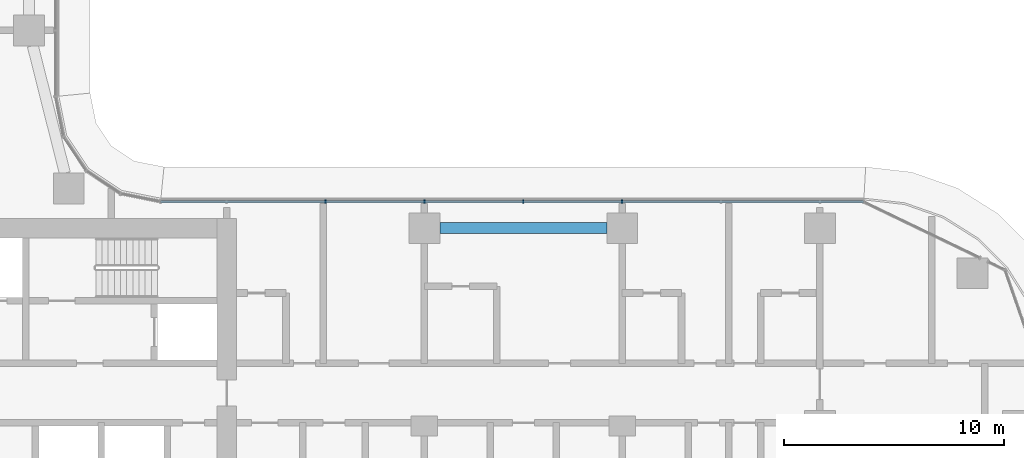
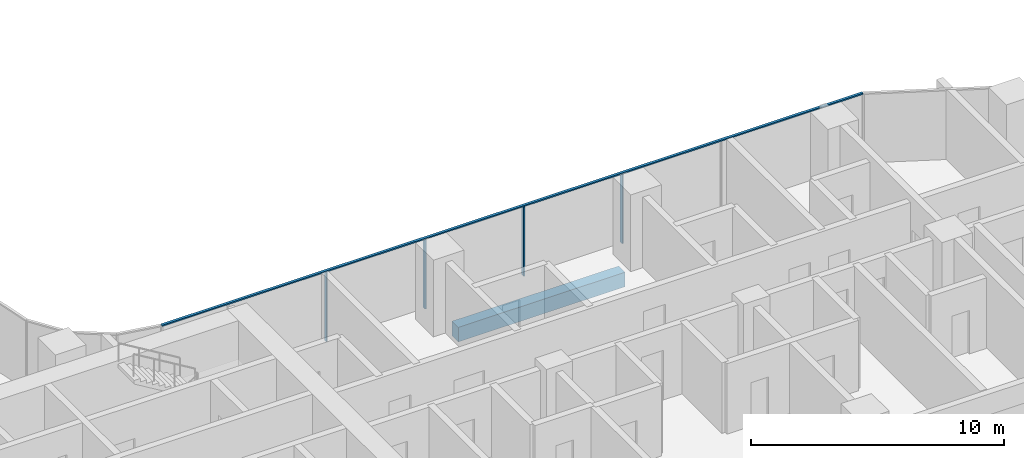
# One storey, part 4 of 39: 5 members, 1 beam, 1 element without a shape of its own.
"""IFC4 building model written with IfcOpenShell, lengths in metres."""

import ifcopenshell
import ifcopenshell.guid

model = None  # the IFC model being written
_history = None  # IfcOwnerHistory: only IFC2X3 demands one
_inside = {}  # id of a spatial element -> (the spatial element, [elements in it])
_under = {}  # id of a project, library or spatial element -> (it, [spatial elements below it])
_declared = {}  # id of a project -> (the project, [libraries it declares])
_typed = {}  # id of a type object -> (the type object, [elements of that type])
_made_of = {}  # id of a material, layer set ... -> (it, [elements and type objects made of it])


def new_model(schema):
    """Start an empty IFC model of exactly this schema.

    Asked for "IFC4X3", IfcOpenShell would pick the latest addendum, in which some entities
    have other attributes; the version numbers below select the first issue.
    IFC2X3 requires an IfcOwnerHistory on every rooted entity: one is made here for all.
    """
    global model, _history
    if schema == "IFC4X3":
        model = ifcopenshell.file(schema_version=(4, 3, 0, 0))
    else:
        model = ifcopenshell.file(schema=schema)
    _inside.clear()
    _under.clear()
    _declared.clear()
    _typed.clear()
    _made_of.clear()
    _history = None
    if model.schema == "IFC2X3":
        org = make("IfcOrganization", Name="unknown")
        user = make(
            "IfcPersonAndOrganization",
            ThePerson=make("IfcPerson", FamilyName="unknown"),
            TheOrganization=org,
        )
        app = make(
            "IfcApplication",
            ApplicationDeveloper=org,
            Version="unknown",
            ApplicationFullName="unknown",
            ApplicationIdentifier="unknown",
        )
        _history = make(
            "IfcOwnerHistory",
            OwningUser=user,
            OwningApplication=app,
            ChangeAction="ADDED",
            CreationDate=0,
        )
    return model


def make(cls, **values):
    """One entity of the class cls with the attributes given. An attribute that is None is left unset."""
    return model.create_entity(
        cls, **{name: value for name, value in values.items() if value is not None}
    )


def rooted(cls, **values):
    """An entity with a GlobalId (a new one), such as an element, a storey or a relation."""
    return make(cls, GlobalId=ifcopenshell.guid.new(), OwnerHistory=_history, **values)


def si_unit(unit_type, name, prefix=None):
    """IfcSIUnit, for example si_unit("LENGTHUNIT", "METRE", prefix="MILLI")."""
    return make("IfcSIUnit", UnitType=unit_type, Prefix=prefix, Name=name)


def assignment(units):
    """IfcUnitAssignment: the units of a project."""
    return None if units is None else make("IfcUnitAssignment", Units=units)


def point(xyz):
    """IfcCartesianPoint."""
    return None if xyz is None else make("IfcCartesianPoint", Coordinates=xyz)


def direction(xyz):
    """IfcDirection."""
    return None if xyz is None else make("IfcDirection", DirectionRatios=xyz)


def frame(location, z_axis=None, x_axis=None):
    """IfcAxis2Placement3D, a coordinate frame: its origin and axes. An axis left out is left unset."""
    return make(
        "IfcAxis2Placement3D",
        Location=point(location),
        Axis=direction(z_axis),
        RefDirection=direction(x_axis),
    )


def frame_2d(location, x_axis=None):
    """IfcAxis2Placement2D, a coordinate frame in the plane: its origin and x axis."""
    return make(
        "IfcAxis2Placement2D", Location=point(location), RefDirection=direction(x_axis)
    )


def origin():
    """The frame at (0, 0, 0) with its axes left unset."""
    return frame((0.0, 0.0, 0.0))


def origin_2d():
    """The frame at (0, 0) in the plane with its x axis left unset."""
    return frame_2d((0.0, 0.0))


def place(relative_to, where):
    """IfcLocalPlacement: puts the frame where relative to a parent placement (None: the world)."""
    return make(
        "IfcLocalPlacement", PlacementRelTo=relative_to, RelativePlacement=where
    )


def context(
    kind, dimensions, precision=None, world=None, true_north=None, identifier=None
):
    """IfcGeometricRepresentationContext, for example the 3D "Model" context."""
    return make(
        "IfcGeometricRepresentationContext",
        ContextIdentifier=identifier,
        ContextType=kind,
        CoordinateSpaceDimension=dimensions,
        Precision=precision,
        WorldCoordinateSystem=world,
        TrueNorth=true_north,
    )


def subcontext(parent, identifier, kind, view, scale=None):
    """IfcGeometricRepresentationSubContext, for example "Body" below "Model"."""
    return make(
        "IfcGeometricRepresentationSubContext",
        ContextIdentifier=identifier,
        ContextType=kind,
        ParentContext=parent,
        TargetScale=scale,
        TargetView=view,
    )


def project(units=None, contexts=None):
    """IfcProject with its units and contexts."""
    return rooted(
        "IfcProject",
        Name="project",
        RepresentationContexts=contexts,
        UnitsInContext=assignment(units),
    )


def spatial(cls, under=None, at=None, **own):
    """A site, building, storey or space (cls), placed at a placement, below another one or the project."""
    s = rooted(cls, ObjectPlacement=at, **own)
    if under is not None:
        _under.setdefault(under.id(), (under, []))[1].append(s)
    return s


def profile(cls, at=None, kind="AREA", **sizes):
    """A parametric profile (cls). Its sizes go by their IFC names, for example OverallWidth=200.0."""
    return make(cls, ProfileType=kind, Position=at, **sizes)


def rectangle(**sizes):
    """IfcRectangleProfileDef."""
    return profile("IfcRectangleProfileDef", **sizes)


def extrude(swept, where, along, depth):
    """IfcExtrudedAreaSolid: the profile swept, set in the frame where, extruded along a direction by depth."""
    return make(
        "IfcExtrudedAreaSolid",
        SweptArea=swept,
        Position=where,
        ExtrudedDirection=direction(along),
        Depth=depth,
    )


def shape(context_of_items, identifier, shape_type, items):
    """IfcShapeRepresentation: the items that make up one representation, for example the "Body"."""
    return make(
        "IfcShapeRepresentation",
        ContextOfItems=context_of_items,
        RepresentationIdentifier=identifier,
        RepresentationType=shape_type,
        Items=items,
    )


def material(Name=None, Category=None):
    """IfcMaterial."""
    return make("IfcMaterial", Name=Name, Category=Category)


def material_profile(
    of_material, cross_section, Name=None, Category=None, Priority=None
):
    """IfcMaterialProfile: a cross section and its material."""
    return make(
        "IfcMaterialProfile",
        Name=Name,
        Material=of_material,
        Profile=cross_section,
        Priority=Priority,
        Category=Category,
    )


def profile_set(profiles, Name=None, composite=None):
    """IfcMaterialProfileSet."""
    return make(
        "IfcMaterialProfileSet",
        Name=Name,
        MaterialProfiles=profiles,
        CompositeProfile=composite,
    )


def made_of(thing, what):
    """Note that an element or type object is made of a material, layer set ...; save() writes the relation."""
    if what is not None:
        _made_of.setdefault(what.id(), (what, []))[1].append(thing)
    return thing


def type_object(cls, material=None, **own):
    """A type object (cls), such as IfcWallType, which elements share."""
    return made_of(rooted(cls, **own), material)


def element(
    cls,
    number,
    at=None,
    inside=None,
    cuts=None,
    type_object=None,
    material=None,
    context=None,
    identifier="Body",
    shape_type=None,
    held_by="IfcProductDefinitionShape",
    body=None,
    shapes=None,
    **own,
):
    """One element of the class cls, such as IfcWall. Its Tag is "e" and its number.

    at: its placement. inside: the storey or other place that contains it. cuts: it is an
    opening in that element (IfcRelVoidsElement). A single representation is given by context,
    identifier, shape_type and body (its items); several are given by shapes. held_by: the class
    of the entity that holds the representations. save() writes the other relations.
    """
    e = rooted(cls, Tag="e%d" % number, ObjectPlacement=at, **own)
    if body is not None:
        shapes = [shape(context, identifier, shape_type, body)]
    if shapes is not None:
        e.Representation = make(held_by, Representations=shapes)
    if inside is not None:
        _inside.setdefault(inside.id(), (inside, []))[1].append(e)
    if cuts is not None:
        rooted(
            "IfcRelVoidsElement", RelatingBuildingElement=cuts, RelatedOpeningElement=e
        )
    if type_object is not None:
        _typed.setdefault(type_object.id(), (type_object, []))[1].append(e)
    return made_of(e, material)


def aggregate(whole, parts):
    """IfcRelAggregates: a whole, such as a stair, and the parts it consists of."""
    return rooted("IfcRelAggregates", RelatingObject=whole, RelatedObjects=parts)


def save(model, path):
    """Write the relations noted so far, then the file.

    IfcRelAggregates (storeys below a building ...), IfcRelContainedInSpatialStructure (elements
    in a storey), IfcRelDefinesByType, IfcRelAssociatesMaterial and IfcRelDeclares: one each for
    every whole, place, type object, material and project.
    """
    for whole, parts in _under.values():
        aggregate(whole, parts)
    for where, things in _inside.values():
        rooted(
            "IfcRelContainedInSpatialStructure",
            RelatedElements=things,
            RelatingStructure=where,
        )
    for kind, things in _typed.values():
        rooted("IfcRelDefinesByType", RelatedObjects=things, RelatingType=kind)
    for what, things in _made_of.values():
        rooted("IfcRelAssociatesMaterial", RelatedObjects=things, RelatingMaterial=what)
    for by, libraries in _declared.values():
        rooted("IfcRelDeclares", RelatingContext=by, RelatedDefinitions=libraries)
    model.write(path)


model = new_model("IFC4")

# Units and contexts
model_context = context("Model", 3, precision=1e-05, world=origin(), true_north=direction((0.0, 1.0)))
body_context = subcontext(model_context, "Body", "Model", "MODEL_VIEW")
ifc_project = project(units=[si_unit("LENGTHUNIT", "METRE"), si_unit("AREAUNIT", "SQUARE_METRE"), si_unit("VOLUMEUNIT", "CUBIC_METRE"), si_unit("PLANEANGLEUNIT", "RADIAN"), si_unit("MASSUNIT", "GRAM", prefix="KILO")], contexts=[model_context])

# Site, building, storey
site_placement = place(None, origin())
site = spatial("IfcSite", under=ifc_project, at=site_placement, CompositionType="ELEMENT")
building_placement = place(site_placement, origin())
building = spatial("IfcBuilding", under=site, at=building_placement, Name="Ogive Portal Towers", CompositionType="ELEMENT")
storey_placement = place(building_placement, frame((0.0, 0.0, 44.60009765625)))
storey = spatial("IfcBuildingStorey", under=building, at=storey_placement, Name="L09", CompositionType="ELEMENT", Elevation=44.60009765625)

# Curtain wall, members
ifc_material_1 = material(Name="Glass, clear low-iron insulated glazing", Category="glass")
curtain_wall_type = type_object("IfcCurtainWallType", Name="CW FRONT RIBBON 4500", PredefinedType="NOTDEFINED", material=ifc_material_1)
curtain_wall_placement = place(storey_placement, origin())
curtain_wall = element("IfcCurtainWall", 1, at=curtain_wall_placement, inside=storey, type_object=curtain_wall_type, Name="A:L09:f11:cw0", PredefinedType="NOTDEFINED")
ifc_material_2 = material(Name="Aluminium 6063 anodised", Category="aluminium")
ifc_material_profile_1 = material_profile(ifc_material_2, rectangle(XDim=0.159912109375, YDim=0.06005859375, at=origin_2d()), Name="AL 60x160")
ifc_profile_set_1 = profile_set([ifc_material_profile_1], Name="Aluminium 6063 anodised")
member_type_1 = type_object("IfcMemberType", Name="CW MULLION 60x160", PredefinedType="MULLION", material=ifc_profile_set_1)
member_1_placement = place(storey_placement, frame((76.5, 40.705078125, 0.0), z_axis=(0.0, 0.0, 1.0), x_axis=(0.0, -1.0, 0.0)))
member_1 = element("IfcMember", 2, at=member_1_placement, type_object=member_type_1, Name="mullion", PredefinedType="MULLION", context=body_context, shape_type="SweptSolid", body=[
    extrude(rectangle(XDim=0.159912109375, YDim=0.06005859375, at=origin_2d()), origin(), (0.0, 0.0, 1.0), 3.33984375),
])
member_2_placement = place(storey_placement, frame((72.0, 40.705078125, 0.0), z_axis=(0.0, 0.0, 1.0), x_axis=(0.0, -1.0, 0.0)))
member_2 = element("IfcMember", 3, at=member_2_placement, type_object=member_type_1, Name="mullion", PredefinedType="MULLION", context=body_context, shape_type="SweptSolid", body=[
    extrude(rectangle(XDim=0.159912109375, YDim=0.06005859375, at=origin_2d()), origin(), (0.0, 0.0, 1.0), 3.33984375),
])
member_3_placement = place(storey_placement, frame((67.5, 40.705078125, 0.0), z_axis=(0.0, 0.0, 1.0), x_axis=(0.0, -1.0, 0.0)))
member_3 = element("IfcMember", 4, at=member_3_placement, type_object=member_type_1, Name="mullion", PredefinedType="MULLION", context=body_context, shape_type="SweptSolid", body=[
    extrude(rectangle(XDim=0.159912109375, YDim=0.06005859375, at=origin_2d()), origin(), (0.0, 0.0, 1.0), 3.33984375),
])
member_4_placement = place(storey_placement, frame((63.0, 40.705078125, 0.0), z_axis=(0.0, 0.0, 1.0), x_axis=(0.0, -1.0, 0.0)))
member_4 = element("IfcMember", 5, at=member_4_placement, type_object=member_type_1, Name="mullion", PredefinedType="MULLION", context=body_context, shape_type="SweptSolid", body=[
    extrude(rectangle(XDim=0.159912109375, YDim=0.06005859375, at=origin_2d()), origin(), (0.0, 0.0, 1.0), 3.33984375),
])
ifc_material_profile_2 = material_profile(ifc_material_2, rectangle(XDim=0.1201171875, YDim=0.06005859375, at=origin_2d()), Name="AL 120x60")
ifc_profile_set_2 = profile_set([ifc_material_profile_2], Name="Aluminium 6063 anodised")
member_type_2 = type_object("IfcMemberType", Name="CW TRANSOM 60x120", PredefinedType="USERDEFINED", material=ifc_profile_set_2)
member_5_placement = place(storey_placement, frame((87.481689453125, 40.705078125, 3.369873046875), z_axis=(-1.0, 0.0, 0.0), x_axis=(0.0, -1.0, 0.0)))
member_5 = element("IfcMember", 6, at=member_5_placement, type_object=member_type_2, Name="transom", ObjectType="TRANSOM", PredefinedType="USERDEFINED", context=body_context, shape_type="SweptSolid", body=[
    extrude(rectangle(XDim=0.1201171875, YDim=0.06005859375, at=origin_2d()), origin(), (0.0, 0.0, 1.0), 31.989501953125),
])
aggregate(curtain_wall, [member_5, member_1, member_2, member_3, member_4])

# Beam
ifc_material_3 = material(Name="Concrete C40/50", Category="concrete")
ifc_material_profile_3 = material_profile(ifc_material_3, rectangle(XDim=0.5, YDim=0.699951171875, at=origin_2d()), Name="RC 500x700")
ifc_profile_set_3 = profile_set([ifc_material_profile_3], Name="Concrete C40/50")
beam_type = type_object("IfcBeamType", Name="SPANDREL BEAM RC 500x700", PredefinedType="BEAM", material=ifc_profile_set_3)
beam_placement = place(storey_placement, frame((68.199951171875, 39.5, -0.650146484375), z_axis=(1.0, 0.0, 0.0), x_axis=(0.0, 1.0, 0.0)))
element("IfcBeam", 7, at=beam_placement, inside=storey, type_object=beam_type, Name="Spandrel beam L09", PredefinedType="BEAM", context=body_context, shape_type="SweptSolid", body=[
    extrude(rectangle(XDim=0.5, YDim=0.699951171875, at=origin_2d()), origin(), (0.0, 0.0, 1.0), 7.60009765625),
])

save(model, "model.ifc")
